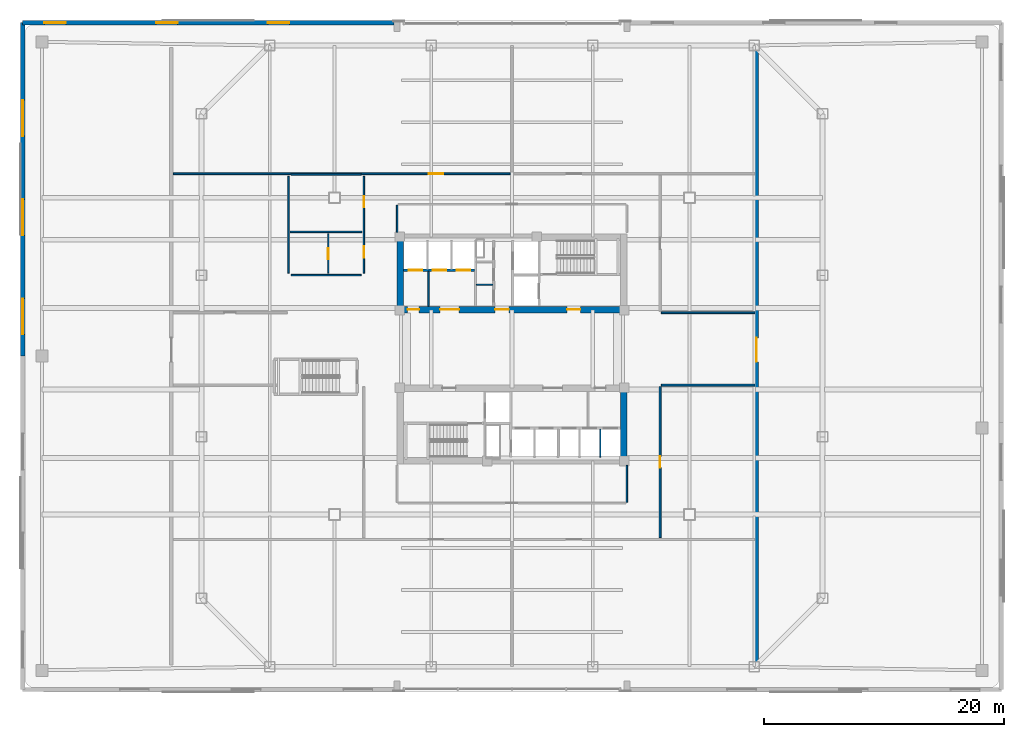
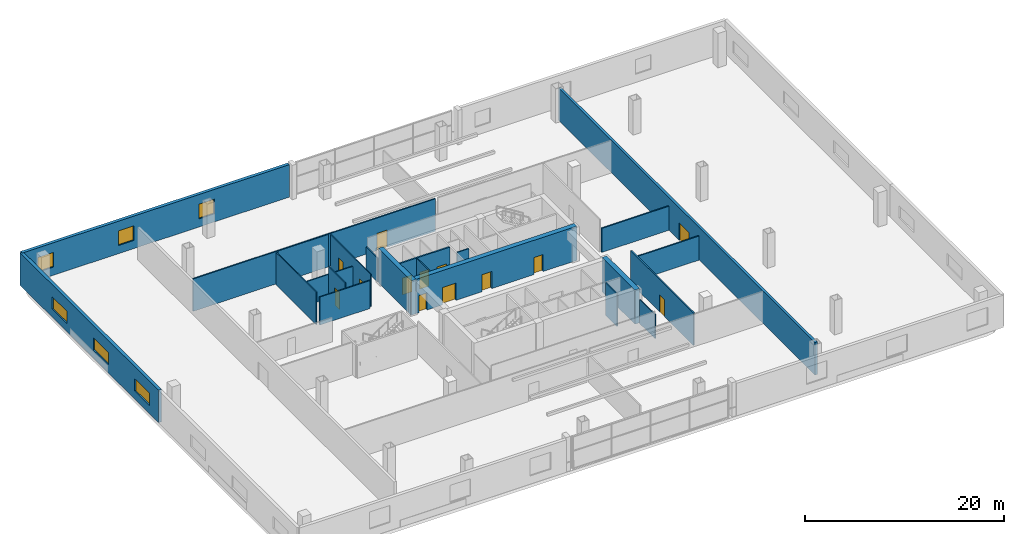
# One storey, part 13 of 21: 22 walls, 13 doors, 6 windows, 19 openings.
"""IFC4 building model written with IfcOpenShell, lengths in metres."""

from ifc_helpers import new_model, si_unit, direction, frame, frame_2d, origin, place, context, subcontext, project, spatial, rectangle, extrude, material, layer, layer_set, type_object, element, fill, save


model = new_model("IFC4")

# Units and contexts
model_context = context("Model", 3, precision=1e-05, world=origin(), true_north=direction((0.0, 1.0)))
body_context = subcontext(model_context, "Body", "Model", "MODEL_VIEW")
ifc_project = project(units=[si_unit("LENGTHUNIT", "METRE"), si_unit("AREAUNIT", "SQUARE_METRE"), si_unit("VOLUMEUNIT", "CUBIC_METRE"), si_unit("PLANEANGLEUNIT", "RADIAN"), si_unit("MASSUNIT", "GRAM", prefix="KILO")], contexts=[model_context])

# Site, building, storey
site_placement = place(None, origin())
site = spatial("IfcSite", under=ifc_project, at=site_placement, CompositionType="ELEMENT")
building_placement = place(site_placement, origin())
building = spatial("IfcBuilding", under=site, at=building_placement, Name="Qhalaya Broadcast Tower", CompositionType="ELEMENT")
storey_placement = place(building_placement, frame((0.0, 0.0, 21.89990234375)))
storey = spatial("IfcBuildingStorey", under=building, at=storey_placement, Name="L05", CompositionType="ELEMENT", Elevation=21.89990234375)

# Wall, opening, door
ifc_material_1 = material(Name="Gypsum Acoustic Partition")
ifc_layer_1 = layer(ifc_material_1, 0.14990234375, Name="Gypsum Acoustic Partition")
ifc_layer_set_1 = layer_set([ifc_layer_1], Name="Gypsum Acoustic Partition")
wall_type_1 = type_object("IfcWallType", Name="Corridor & Tenancy Acoustic Partition 150", PredefinedType="PARTITIONING", material=ifc_layer_set_1)
wall_1_placement = place(storey_placement, frame((-28.239990234375, 15.199951171875, 0.0), z_axis=(0.0, 0.0, 1.0), x_axis=(1.0, 0.0, 0.0)))
wall_1 = element("IfcWall", 1, at=wall_1_placement, inside=storey, type_object=wall_type_1, Name="L05 Partition Wall W-STN1L", PredefinedType="PARTITIONING", context=body_context, shape_type="SweptSolid", body=[
    extrude(rectangle(XDim=28.080078125, YDim=0.14990234375, at=frame_2d((14.0400390625, 0.0))), origin(), (0.0, 0.0, 1.0), 3.97998046875),
])
opening_1_placement = place(wall_1_placement, frame((21.302001953125, 0.0, 0.0)))
opening_1 = element("IfcOpeningElement", 2, at=opening_1_placement, cuts=wall_1, Name="Opening D11", PredefinedType="OPENING", context=body_context, shape_type="SweptSolid", body=[
    extrude(rectangle(XDim=1.199951171875, YDim=2.10009765625, at=frame_2d((0.60009765625, 1.050048828125))), frame((0.0, 0.0869140625, 0.0), z_axis=(0.0, -1.0, 0.0), x_axis=(1.0, 0.0, 0.0)), (0.0, 0.0, 1.0), 0.173828125),
])
ifc_material_2 = material(Name="Anodised Aluminium Glazed Door", Category="aluminium")
door_type_1 = type_object("IfcDoorType", Name="Conference, Boardroom & Studio Control Door D11", OperationType="NOTDEFINED", PredefinedType="DOOR", material=ifc_material_2)
door_1_placement = place(opening_1_placement, origin())
door_1 = element("IfcDoor", 3, at=door_1_placement, inside=storey, type_object=door_type_1, Name="L05 Door D-STN1", OperationType="SINGLE_SWING_LEFT", OverallHeight=2.10009765625, OverallWidth=1.199951171875, PredefinedType="DOOR", context=body_context, shape_type="SweptSolid", body=[
    extrude(rectangle(XDim=1.199951171875, YDim=2.10009765625, at=frame_2d((0.60009765625, 1.050048828125))), frame((0.0, 0.02490234375, 0.0), z_axis=(0.0, -1.0, 0.0), x_axis=(1.0, 0.0, 0.0)), (0.0, 0.0, 1.0), 0.050048828125),
])
fill(opening_1, door_1)

wall_2_placement = place(storey_placement, frame((12.35009765625, -15.139892578125, 0.0), z_axis=(0.0, 0.0, 1.0), x_axis=(0.0, 1.0, 0.0)))
wall_2 = element("IfcWall", 4, at=wall_2_placement, inside=storey, type_object=wall_type_1, Name="L05 Partition Wall W-STPES", PredefinedType="PARTITIONING", context=body_context, shape_type="SweptSolid", body=[
    extrude(rectangle(XDim=12.599853515625, YDim=0.14990234375, at=frame_2d((6.2998046875, 0.0))), origin(), (0.0, 0.0, 1.0), 3.97998046875),
])
opening_2_placement = place(wall_2_placement, frame((5.824951171875, 0.0, 0.0)))
opening_2 = element("IfcOpeningElement", 5, at=opening_2_placement, cuts=wall_2, Name="Opening D10", PredefinedType="OPENING", context=body_context, shape_type="SweptSolid", body=[
    extrude(rectangle(XDim=0.949951171875, YDim=2.10009765625, at=frame_2d((0.47509765625, 1.050048828125))), frame((0.0, 0.0869140625, 0.0), z_axis=(0.0, -1.0, 0.0), x_axis=(1.0, 0.0, 0.0)), (0.0, 0.0, 1.0), 0.173828125),
])
ifc_material_3 = material(Name="Timber Veneer Acoustic Door", Category="wood")
door_type_2 = type_object("IfcDoorType", Name="Cellular Office & Edit Booth Door D10", OperationType="NOTDEFINED", PredefinedType="DOOR", material=ifc_material_3)
door_2_placement = place(opening_2_placement, origin())
door_2 = element("IfcDoor", 6, at=door_2_placement, inside=storey, type_object=door_type_2, Name="L05 Door D-STPE1", OperationType="SINGLE_SWING_RIGHT", OverallHeight=2.10009765625, OverallWidth=0.949951171875, PredefinedType="DOOR", context=body_context, shape_type="SweptSolid", body=[
    extrude(rectangle(XDim=0.949951171875, YDim=2.10009765625, at=frame_2d((0.47509765625, 1.050048828125))), frame((0.0, 0.02490234375, 0.0), z_axis=(0.0, -1.0, 0.0), x_axis=(1.0, 0.0, 0.0)), (0.0, 0.0, 1.0), 0.050048828125),
])
fill(opening_2, door_2)

# Walls
for number, where, z_axis, x_axis, name in (
    (7, (12.4599609375, -2.419921875, 0.0), (0.0, 0.0, 1.0), (1.0, 0.0, 0.0), "L05 Partition Wall W-STP-CS"),
    (8, (12.4599609375, 3.6201171875, 0.0), (0.0, 0.0, 1.0), (1.0, 0.0, 0.0), "L05 Partition Wall W-STP-CN"),
):
    element("IfcWall", number, at=place(storey_placement, frame(where, z_axis=z_axis, x_axis=x_axis)), inside=storey, type_object=wall_type_1, Name=name, PredefinedType="PARTITIONING", context=body_context, shape_type="SweptSolid", body=[
        extrude(rectangle(XDim=7.800048828125, YDim=0.14990234375, at=frame_2d((3.89990234375, 0.0))), origin(), (0.0, 0.0, 1.0), 2.94921875),
    ])

# Wall, opening, door
ifc_layer_2 = layer(ifc_material_1, 0.280029296875, Name="Gypsum Acoustic Partition")
ifc_layer_set_2 = layer_set([ifc_layer_2], Name="Gypsum Acoustic Partition")
wall_type_2 = type_object("IfcWallType", Name="Double-Leaf Soundstage Acoustic Wall 280", PredefinedType="MOVABLE", material=ifc_layer_set_2)
wall_3_placement = place(storey_placement, frame((20.39990234375, -25.739990234375, 0.0), z_axis=(0.0, 0.0, 1.0), x_axis=(0.0, 1.0, 0.0)))
wall_3 = element("IfcWall", 9, at=wall_3_placement, inside=storey, type_object=wall_type_2, Name="L05 Partition Wall W-STBE", PredefinedType="MOVABLE", context=body_context, shape_type="SweptSolid", body=[
    extrude(rectangle(XDim=51.47998046875, YDim=0.280029296875, at=frame_2d((25.739990234375, 0.0))), origin(), (0.0, 0.0, 1.0), 3.97998046875),
])
opening_3_placement = place(wall_3_placement, frame((25.2548828125, 0.0, 0.0)))
opening_3 = element("IfcOpeningElement", 10, at=opening_3_placement, cuts=wall_3, Name="Opening D08", PredefinedType="OPENING", context=body_context, shape_type="SweptSolid", body=[
    extrude(rectangle(XDim=2.0, YDim=2.139892578125, at=frame_2d((1.0, 1.06982421875))), frame((0.0, 0.152099609375, 0.0), z_axis=(0.0, -1.0, 0.0), x_axis=(1.0, 0.0, 0.0)), (0.0, 0.0, 1.0), 0.303955078125),
])
ifc_material_4 = material(Name="Acoustic Studio Isolation Steel Door", Category="steel")
door_type_3 = type_object("IfcDoorType", Name="Soundstage Acoustic Isolation Double Door D08", OperationType="DOUBLE_DOOR_SINGLE_SWING", PredefinedType="DOOR", material=ifc_material_4)
door_3_placement = place(opening_3_placement, origin())
door_3 = element("IfcDoor", 11, at=door_3_placement, inside=storey, type_object=door_type_3, Name="L05 Door D-STB1", OperationType="DOUBLE_DOOR_SINGLE_SWING", OverallHeight=2.139892578125, OverallWidth=2.0, PredefinedType="DOOR", context=body_context, shape_type="SweptSolid", body=[
    extrude(rectangle(XDim=2.0, YDim=2.139892578125, at=frame_2d((1.0, 1.06982421875))), frame((0.0, 0.02490234375, 0.0), z_axis=(0.0, -1.0, 0.0), x_axis=(1.0, 0.0, 0.0)), (0.0, 0.0, 1.0), 0.050048828125),
])
fill(opening_3, door_3)

# Wall, openings, windows
ifc_material_5 = material(Name="Precast Concrete C40/50", Category="concrete")
ifc_layer_3 = layer(ifc_material_5, 0.360107421875, Name="Precast Concrete C40/50")
ifc_layer_set_3 = layer_set([ifc_layer_3], Name="Precast Concrete C40/50")
wall_type_3 = type_object("IfcWallType", Name="Insulated Precast Terracotta Exterior Wall 360", PredefinedType="SOLIDWALL", material=ifc_layer_set_3)
wall_4_placement = place(storey_placement, frame((-40.800048828125, 27.800048828125, 0.0), z_axis=(0.0, 0.0, 1.0), x_axis=(1.0, 0.0, 0.0)))
wall_4 = element("IfcWall", 12, at=wall_4_placement, inside=storey, type_object=wall_type_3, Name="L05 Podium Exterior Terracotta Wall EW-NW", PredefinedType="SOLIDWALL", context=body_context, shape_type="SweptSolid", body=[
    extrude(rectangle(XDim=30.9599609375, YDim=0.360107421875, at=frame_2d((15.47998046875, 0.0))), origin(), (0.0, 0.0, 1.0), 3.97998046875),
])
opening_4_placement = place(wall_4_placement, frame((1.800048828125, 0.0, 1.0)))
opening_4 = element("IfcOpeningElement", 13, at=opening_4_placement, cuts=wall_4, Name="Opening W02", PredefinedType="OPENING", context=body_context, shape_type="SweptSolid", body=[
    extrude(rectangle(XDim=1.800048828125, YDim=1.800048828125, at=frame_2d((0.89990234375, 0.89990234375))), frame((0.0, 0.192138671875, 0.0), z_axis=(0.0, -1.0, 0.0), x_axis=(1.0, 0.0, 0.0)), (0.0, 0.0, 1.0), 0.384033203125),
])
opening_5_placement = place(wall_4_placement, frame((11.1201171875, 0.0, 1.0)))
opening_5 = element("IfcOpeningElement", 14, at=opening_5_placement, cuts=wall_4, Name="Opening W02", PredefinedType="OPENING", context=body_context, shape_type="SweptSolid", body=[
    extrude(rectangle(XDim=1.800048828125, YDim=1.800048828125, at=frame_2d((0.89990234375, 0.89990234375))), frame((0.0, 0.192138671875, 0.0), z_axis=(0.0, -1.0, 0.0), x_axis=(1.0, 0.0, 0.0)), (0.0, 0.0, 1.0), 0.384033203125),
])
opening_6_placement = place(wall_4_placement, frame((20.43994140625, 0.0, 1.0)))
opening_6 = element("IfcOpeningElement", 15, at=opening_6_placement, cuts=wall_4, Name="Opening W02", PredefinedType="OPENING", context=body_context, shape_type="SweptSolid", body=[
    extrude(rectangle(XDim=1.800048828125, YDim=1.800048828125, at=frame_2d((0.89990234375, 0.89990234375))), frame((0.0, 0.192138671875, 0.0), z_axis=(0.0, -1.0, 0.0), x_axis=(1.0, 0.0, 0.0)), (0.0, 0.0, 1.0), 0.384033203125),
])
ifc_material_6 = material(Name="Solar-Control Low-E Triple Glazing", Category="glass")
window_type_1 = type_object("IfcWindowType", Name="Podium Production Office Window W02", PartitioningType="SINGLE_PANEL", PredefinedType="WINDOW", material=ifc_material_6)
window_1_placement = place(opening_4_placement, origin())
window_1 = element("IfcWindow", 16, at=window_1_placement, inside=storey, type_object=window_type_1, Name="L05 Facade Window W02-1", OverallHeight=1.800048828125, OverallWidth=1.800048828125, PartitioningType="SINGLE_PANEL", PredefinedType="WINDOW", context=body_context, shape_type="SweptSolid", body=[
    extrude(rectangle(XDim=1.800048828125, YDim=1.800048828125, at=frame_2d((0.89990234375, 0.89990234375))), frame((0.0, 0.030029296875, 0.0), z_axis=(0.0, -1.0, 0.0), x_axis=(1.0, 0.0, 0.0)), (0.0, 0.0, 1.0), 0.06005859375),
])
fill(opening_4, window_1)
window_2_placement = place(opening_5_placement, origin())
window_2 = element("IfcWindow", 17, at=window_2_placement, inside=storey, type_object=window_type_1, Name="L05 Facade Window W02-2", OverallHeight=1.800048828125, OverallWidth=1.800048828125, PartitioningType="SINGLE_PANEL", PredefinedType="WINDOW", context=body_context, shape_type="SweptSolid", body=[
    extrude(rectangle(XDim=1.800048828125, YDim=1.800048828125, at=frame_2d((0.89990234375, 0.89990234375))), frame((0.0, 0.030029296875, 0.0), z_axis=(0.0, -1.0, 0.0), x_axis=(1.0, 0.0, 0.0)), (0.0, 0.0, 1.0), 0.06005859375),
])
fill(opening_5, window_2)
window_3_placement = place(opening_6_placement, origin())
window_3 = element("IfcWindow", 18, at=window_3_placement, inside=storey, type_object=window_type_1, Name="L05 Facade Window W02-3", OverallHeight=1.800048828125, OverallWidth=1.800048828125, PartitioningType="SINGLE_PANEL", PredefinedType="WINDOW", context=body_context, shape_type="SweptSolid", body=[
    extrude(rectangle(XDim=1.800048828125, YDim=1.800048828125, at=frame_2d((0.89990234375, 0.89990234375))), frame((0.0, 0.030029296875, 0.0), z_axis=(0.0, -1.0, 0.0), x_axis=(1.0, 0.0, 0.0)), (0.0, 0.0, 1.0), 0.06005859375),
])
fill(opening_6, window_3)

wall_5_placement = place(storey_placement, frame((-40.800048828125, 0.0, 0.0), z_axis=(0.0, 0.0, 1.0), x_axis=(0.0, 1.0, 0.0)))
wall_5 = element("IfcWall", 19, at=wall_5_placement, inside=storey, type_object=wall_type_3, Name="L05 Podium Exterior Terracotta Wall EW-WN", PredefinedType="SOLIDWALL", context=body_context, shape_type="SweptSolid", body=[
    extrude(rectangle(XDim=27.800048828125, YDim=0.360107421875, at=frame_2d((13.89990234375, 0.0))), origin(), (0.0, 0.0, 1.0), 3.97998046875),
])
opening_7_placement = place(wall_5_placement, frame((1.800048828125, 0.0, 1.0)))
opening_7 = element("IfcOpeningElement", 20, at=opening_7_placement, cuts=wall_5, Name="Opening W03", PredefinedType="OPENING", context=body_context, shape_type="SweptSolid", body=[
    extrude(rectangle(XDim=3.0, YDim=1.5, at=frame_2d((1.5, 0.75))), frame((0.0, 0.192138671875, 0.0), z_axis=(0.0, -1.0, 0.0), x_axis=(1.0, 0.0, 0.0)), (0.0, 0.0, 1.0), 0.384033203125),
])
opening_8_placement = place(wall_5_placement, frame((10.06689453125, 0.0, 1.0)))
opening_8 = element("IfcOpeningElement", 21, at=opening_8_placement, cuts=wall_5, Name="Opening W03", PredefinedType="OPENING", context=body_context, shape_type="SweptSolid", body=[
    extrude(rectangle(XDim=3.0, YDim=1.5, at=frame_2d((1.5, 0.75))), frame((0.0, 0.192138671875, 0.0), z_axis=(0.0, -1.0, 0.0), x_axis=(1.0, 0.0, 0.0)), (0.0, 0.0, 1.0), 0.384033203125),
])
opening_9_placement = place(wall_5_placement, frame((18.3330078125, 0.0, 1.0)))
opening_9 = element("IfcOpeningElement", 22, at=opening_9_placement, cuts=wall_5, Name="Opening W03", PredefinedType="OPENING", context=body_context, shape_type="SweptSolid", body=[
    extrude(rectangle(XDim=3.0, YDim=1.5, at=frame_2d((1.5, 0.75))), frame((0.0, 0.192138671875, 0.0), z_axis=(0.0, -1.0, 0.0), x_axis=(1.0, 0.0, 0.0)), (0.0, 0.0, 1.0), 0.384033203125),
])
window_type_2 = type_object("IfcWindowType", Name="Podium Concourse Clerestory Window W03", PartitioningType="SINGLE_PANEL", PredefinedType="WINDOW", material=ifc_material_6)
window_4_placement = place(opening_7_placement, origin())
window_4 = element("IfcWindow", 23, at=window_4_placement, inside=storey, type_object=window_type_2, Name="L05 Facade Window W03-1", OverallHeight=1.5, OverallWidth=3.0, PartitioningType="SINGLE_PANEL", PredefinedType="WINDOW", context=body_context, shape_type="SweptSolid", body=[
    extrude(rectangle(XDim=3.0, YDim=1.5, at=frame_2d((1.5, 0.75))), frame((0.0, 0.030029296875, 0.0), z_axis=(0.0, -1.0, 0.0), x_axis=(1.0, 0.0, 0.0)), (0.0, 0.0, 1.0), 0.06005859375),
])
fill(opening_7, window_4)
window_5_placement = place(opening_8_placement, origin())
window_5 = element("IfcWindow", 24, at=window_5_placement, inside=storey, type_object=window_type_2, Name="L05 Facade Window W03-2", OverallHeight=1.5, OverallWidth=3.0, PartitioningType="SINGLE_PANEL", PredefinedType="WINDOW", context=body_context, shape_type="SweptSolid", body=[
    extrude(rectangle(XDim=3.0, YDim=1.5, at=frame_2d((1.5, 0.75))), frame((0.0, 0.030029296875, 0.0), z_axis=(0.0, -1.0, 0.0), x_axis=(1.0, 0.0, 0.0)), (0.0, 0.0, 1.0), 0.06005859375),
])
fill(opening_8, window_5)
window_6_placement = place(opening_9_placement, origin())
window_6 = element("IfcWindow", 25, at=window_6_placement, inside=storey, type_object=window_type_2, Name="L05 Facade Window W03-3", OverallHeight=1.5, OverallWidth=3.0, PartitioningType="SINGLE_PANEL", PredefinedType="WINDOW", context=body_context, shape_type="SweptSolid", body=[
    extrude(rectangle(XDim=3.0, YDim=1.5, at=frame_2d((1.5, 0.75))), frame((0.0, 0.030029296875, 0.0), z_axis=(0.0, -1.0, 0.0), x_axis=(1.0, 0.0, 0.0)), (0.0, 0.0, 1.0), 0.06005859375),
])
fill(opening_9, window_6)

# Wall, openings, doors
ifc_material_7 = material(Name="Concrete C60/75", Category="concrete")
ifc_layer_4 = layer(ifc_material_7, 0.550048828125, Name="Concrete C60/75")
ifc_layer_set_4 = layer_set([ifc_layer_4], Name="Concrete C60/75")
wall_type_4 = type_object("IfcWallType", Name="Lower Split-Core Shear Wall 550", PredefinedType="SHEAR", material=ifc_layer_set_4)
wall_6_placement = place(storey_placement, frame((-9.60009765625, 3.875, 0.0), z_axis=(0.0, 0.0, 1.0), x_axis=(1.0, 0.0, 0.0)))
wall_6 = element("IfcWall", 26, at=wall_6_placement, inside=storey, type_object=wall_type_4, Name="L05 Split-Core Shear Wall CW-NS", PredefinedType="SHEAR", context=body_context, shape_type="SweptSolid", body=[
    extrude(rectangle(XDim=19.2001953125, YDim=0.550048828125, at=frame_2d((9.60009765625, 0.0))), origin(), (0.0, 0.0, 1.0), 4.2001953125),
])
opening_10_placement = place(wall_6_placement, frame((14.199951171875, 0.0, 0.0)))
opening_10 = element("IfcOpeningElement", 27, at=opening_10_placement, cuts=wall_6, Name="Opening D04", PredefinedType="OPENING", context=body_context, shape_type="SweptSolid", body=[
    extrude(rectangle(XDim=1.10009765625, YDim=2.080078125, at=frame_2d((0.550048828125, 1.0400390625))), frame((0.0, 0.287109375, 0.0), z_axis=(0.0, -1.0, 0.0), x_axis=(1.0, 0.0, 0.0)), (0.0, 0.0, 1.0), 0.573974609375),
])
opening_11_placement = place(wall_6_placement, frame((8.199951171875, 0.0, 0.0)))
opening_11 = element("IfcOpeningElement", 28, at=opening_11_placement, cuts=wall_6, Name="Opening D05", PredefinedType="OPENING", context=body_context, shape_type="SweptSolid", body=[
    extrude(rectangle(XDim=1.14990234375, YDim=2.10009765625, at=frame_2d((0.574951171875, 1.050048828125))), frame((0.0, 0.287109375, 0.0), z_axis=(0.0, -1.0, 0.0), x_axis=(1.0, 0.0, 0.0)), (0.0, 0.0, 1.0), 0.573974609375),
])
opening_12_placement = place(wall_6_placement, frame((0.89990234375, 0.0, 0.0)))
opening_12 = element("IfcOpeningElement", 29, at=opening_12_placement, cuts=wall_6, Name="Opening D10", PredefinedType="OPENING", context=body_context, shape_type="SweptSolid", body=[
    extrude(rectangle(XDim=0.949951171875, YDim=2.10009765625, at=frame_2d((0.47509765625, 1.050048828125))), frame((0.0, 0.287109375, 0.0), z_axis=(0.0, -1.0, 0.0), x_axis=(1.0, 0.0, 0.0)), (0.0, 0.0, 1.0), 0.573974609375),
])
opening_13_placement = place(wall_6_placement, frame((3.60009765625, 0.0, 0.0)))
opening_13 = element("IfcOpeningElement", 30, at=opening_13_placement, cuts=wall_6, Name="Opening D07", PredefinedType="OPENING", context=body_context, shape_type="SweptSolid", body=[
    extrude(rectangle(XDim=1.60009765625, YDim=2.1201171875, at=frame_2d((0.800048828125, 1.06005859375))), frame((0.0, 0.287109375, 0.0), z_axis=(0.0, -1.0, 0.0), x_axis=(1.0, 0.0, 0.0)), (0.0, 0.0, 1.0), 0.573974609375),
])
door_4_placement = place(opening_12_placement, origin())
door_4 = element("IfcDoor", 31, at=door_4_placement, inside=storey, type_object=door_type_2, Name="L05 Door D-NLPNT", OperationType="SINGLE_SWING_RIGHT", OverallHeight=2.10009765625, OverallWidth=0.949951171875, PredefinedType="DOOR", context=body_context, shape_type="SweptSolid", body=[
    extrude(rectangle(XDim=0.949951171875, YDim=2.10009765625, at=frame_2d((0.47509765625, 1.050048828125))), frame((0.0, 0.02490234375, 0.0), z_axis=(0.0, -1.0, 0.0), x_axis=(1.0, 0.0, 0.0)), (0.0, 0.0, 1.0), 0.050048828125),
])
fill(opening_12, door_4)
ifc_material_8 = material(Name="Fire-Rated Steel Door", Category="steel")
door_type_4 = type_object("IfcDoorType", Name="Firefighting Lobby Rated Door D04", OperationType="NOTDEFINED", PredefinedType="DOOR", material=ifc_material_8)
door_5_placement = place(opening_10_placement, origin())
door_5 = element("IfcDoor", 32, at=door_5_placement, inside=storey, type_object=door_type_4, Name="L05 Door D-NFF", OperationType="SINGLE_SWING_RIGHT", OverallHeight=2.080078125, OverallWidth=1.10009765625, PredefinedType="DOOR", context=body_context, shape_type="SweptSolid", body=[
    extrude(rectangle(XDim=1.10009765625, YDim=2.080078125, at=frame_2d((0.550048828125, 1.0400390625))), frame((0.0, 0.02490234375, 0.0), z_axis=(0.0, -1.0, 0.0), x_axis=(1.0, 0.0, 0.0)), (0.0, 0.0, 1.0), 0.050048828125),
])
fill(opening_10, door_5)
door_type_5 = type_object("IfcDoorType", Name="Passenger Lift Lobby Double Glazed Door D07", OperationType="DOUBLE_DOOR_SINGLE_SWING", PredefinedType="DOOR", material=ifc_material_2)
door_6_placement = place(opening_13_placement, origin())
door_6 = element("IfcDoor", 33, at=door_6_placement, inside=storey, type_object=door_type_5, Name="L05 Door D-NPLL", OperationType="DOUBLE_DOOR_SINGLE_SWING", OverallHeight=2.1201171875, OverallWidth=1.60009765625, PredefinedType="DOOR", context=body_context, shape_type="SweptSolid", body=[
    extrude(rectangle(XDim=1.60009765625, YDim=2.1201171875, at=frame_2d((0.800048828125, 1.06005859375))), frame((0.0, 0.02490234375, 0.0), z_axis=(0.0, -1.0, 0.0), x_axis=(1.0, 0.0, 0.0)), (0.0, 0.0, 1.0), 0.050048828125),
])
fill(opening_13, door_6)
door_type_6 = type_object("IfcDoorType", Name="Refuge & Plant Room Fire Door D05", OperationType="NOTDEFINED", PredefinedType="DOOR", material=ifc_material_8)
door_7_placement = place(opening_11_placement, origin())
door_7 = element("IfcDoor", 34, at=door_7_placement, inside=storey, type_object=door_type_6, Name="L05 Door D-NSVL", OperationType="SINGLE_SWING_LEFT", OverallHeight=2.10009765625, OverallWidth=1.14990234375, PredefinedType="DOOR", context=body_context, shape_type="SweptSolid", body=[
    extrude(rectangle(XDim=1.14990234375, YDim=2.10009765625, at=frame_2d((0.574951171875, 1.050048828125))), frame((0.0, 0.02490234375, 0.0), z_axis=(0.0, -1.0, 0.0), x_axis=(1.0, 0.0, 0.0)), (0.0, 0.0, 1.0), 0.050048828125),
])
fill(opening_11, door_7)

# Walls
wall_7_placement = place(storey_placement, frame((-9.324951171875, 3.60009765625, 0.0), z_axis=(0.0, 0.0, 1.0), x_axis=(0.0, 1.0, 0.0)))
element("IfcWall", 35, at=wall_7_placement, inside=storey, type_object=wall_type_4, Name="L05 Split-Core Shear Wall CW-NW", PredefinedType="SHEAR", context=body_context, shape_type="SweptSolid", body=[
    extrude(rectangle(XDim=6.599853515625, YDim=0.550048828125, at=frame_2d((3.2998046875, 0.0))), origin(), (0.0, 0.0, 1.0), 4.2001953125),
])
wall_8_placement = place(storey_placement, frame((9.324951171875, -9.0, 0.0), z_axis=(0.0, 0.0, 1.0), x_axis=(0.0, 1.0, 0.0)))
element("IfcWall", 36, at=wall_8_placement, inside=storey, type_object=wall_type_4, Name="L05 Split-Core Shear Wall CW-SE", PredefinedType="SHEAR", context=body_context, shape_type="SweptSolid", body=[
    extrude(rectangle(XDim=6.60009765625, YDim=0.550048828125, at=frame_2d((3.300048828125, 0.0))), origin(), (0.0, 0.0, 1.0), 4.2001953125),
])
ifc_layer_5 = layer(ifc_material_1, 0.1201171875, Name="Gypsum Acoustic Partition")
ifc_layer_set_5 = layer_set([ifc_layer_5], Name="Gypsum Acoustic Partition")
wall_type_5 = type_object("IfcWallType", Name="Office, Booth & Sanitary Partition 120", PredefinedType="PARTITIONING", material=ifc_layer_set_5)
wall_9_placement = place(storey_placement, frame((-2.9599609375, 5.949951171875, 0.0), z_axis=(0.0, 0.0, 1.0), x_axis=(1.0, 0.0, 0.0)))
element("IfcWall", 37, at=wall_9_placement, inside=storey, type_object=wall_type_5, Name="L05 Partition Wall NCW-VB1", PredefinedType="PARTITIONING", context=body_context, shape_type="SweptSolid", body=[
    extrude(rectangle(XDim=1.35986328125, YDim=0.1201171875, at=frame_2d((0.679931640625, 0.0))), origin(), (0.0, 0.0, 1.0), 3.97998046875),
])
wall_10_placement = place(storey_placement, frame((-6.949951171875, 4.169921875, 0.0), z_axis=(0.0, 0.0, 1.0), x_axis=(0.0, 1.0, 0.0)))
element("IfcWall", 38, at=wall_10_placement, inside=storey, type_object=wall_type_5, Name="L05 Partition Wall NCW-LKB", PredefinedType="PARTITIONING", context=body_context, shape_type="SweptSolid", body=[
    extrude(rectangle(XDim=2.89013671875, YDim=0.1201171875, at=frame_2d((1.445068359375, 0.0))), origin(), (0.0, 0.0, 1.0), 3.97998046875),
])
wall_11_placement = place(storey_placement, frame((7.360107421875, -8.429931640625, 0.0), z_axis=(0.0, 0.0, 1.0), x_axis=(0.0, 1.0, 0.0)))
element("IfcWall", 39, at=wall_11_placement, inside=storey, type_object=wall_type_5, Name="L05 Partition Wall SCW-HD7", PredefinedType="PARTITIONING", context=body_context, shape_type="SweptSolid", body=[
    extrude(rectangle(XDim=2.329833984375, YDim=0.1201171875, at=frame_2d((1.1650390625, 0.0))), origin(), (0.0, 0.0, 1.0), 3.97998046875),
])
wall_12_placement = place(storey_placement, frame((-18.419921875, 6.75, 0.0), z_axis=(0.0, 0.0, 1.0), x_axis=(1.0, 0.0, 0.0)))
element("IfcWall", 40, at=wall_12_placement, inside=storey, type_object=wall_type_5, Name="L05 Partition Wall W-PWCS", PredefinedType="PARTITIONING", context=body_context, shape_type="SweptSolid", body=[
    extrude(rectangle(XDim=5.83984375, YDim=0.1201171875, at=frame_2d((2.919921875, 0.0))), origin(), (0.0, 0.0, 1.0), 3.424072265625),
])
wall_13_placement = place(storey_placement, frame((-18.419921875, 15.14990234375, 0.0), z_axis=(0.0, 0.0, 1.0), x_axis=(1.0, 0.0, 0.0)))
element("IfcWall", 41, at=wall_13_placement, inside=storey, type_object=wall_type_5, Name="L05 Partition Wall W-PWCN", PredefinedType="PARTITIONING", context=body_context, shape_type="SweptSolid", body=[
    extrude(rectangle(XDim=5.83984375, YDim=0.1201171875, at=frame_2d((2.919921875, 0.0))), origin(), (0.0, 0.0, 1.0), 3.97998046875),
])
wall_14_placement = place(storey_placement, frame((-18.64990234375, 6.909912109375, 0.0), z_axis=(0.0, 0.0, 1.0), x_axis=(0.0, 1.0, 0.0)))
element("IfcWall", 42, at=wall_14_placement, inside=storey, type_object=wall_type_5, Name="L05 Partition Wall W-PWCW", PredefinedType="PARTITIONING", context=body_context, shape_type="SweptSolid", body=[
    extrude(rectangle(XDim=8.080078125, YDim=0.1201171875, at=frame_2d((4.0400390625, 0.0))), origin(), (0.0, 0.0, 1.0), 3.97998046875),
])
wall_15_placement = place(storey_placement, frame((-18.489990234375, 10.35009765625, 0.0), z_axis=(0.0, 0.0, 1.0), x_axis=(1.0, 0.0, 0.0)))
element("IfcWall", 43, at=wall_15_placement, inside=storey, type_object=wall_type_5, Name="L05 Partition Wall W-PWCM", PredefinedType="PARTITIONING", context=body_context, shape_type="SweptSolid", body=[
    extrude(rectangle(XDim=5.97998046875, YDim=0.1201171875, at=frame_2d((2.989990234375, 0.0))), origin(), (0.0, 0.0, 1.0), 2.94921875),
])

# Wall, opening, door
wall_16_placement = place(storey_placement, frame((-15.320068359375, 6.909912109375, 0.0), z_axis=(0.0, 0.0, 1.0), x_axis=(0.0, 1.0, 0.0)))
wall_16 = element("IfcWall", 44, at=wall_16_placement, inside=storey, type_object=wall_type_5, Name="L05 Partition Wall W-PWCD", PredefinedType="PARTITIONING", context=body_context, shape_type="SweptSolid", body=[
    extrude(rectangle(XDim=3.280029296875, YDim=0.1201171875, at=frame_2d((1.64013671875, 0.0))), origin(), (0.0, 0.0, 1.0), 3.97998046875),
])
opening_14_placement = place(wall_16_placement, frame((1.1650390625, 0.0, 0.0)))
opening_14 = element("IfcOpeningElement", 45, at=opening_14_placement, cuts=wall_16, Name="Opening D12", PredefinedType="OPENING", context=body_context, shape_type="SweptSolid", body=[
    extrude(rectangle(XDim=0.919921875, YDim=2.10009765625, at=frame_2d((0.4599609375, 1.050048828125))), frame((0.0, 0.072021484375, 0.0), z_axis=(0.0, -1.0, 0.0), x_axis=(1.0, 0.0, 0.0)), (0.0, 0.0, 1.0), 0.14404296875),
])
door_type_7 = type_object("IfcDoorType", Name="Accessible WC & Restroom Door D12", OperationType="NOTDEFINED", PredefinedType="DOOR", material=ifc_material_3)
door_8_placement = place(opening_14_placement, origin())
door_8 = element("IfcDoor", 46, at=door_8_placement, inside=storey, type_object=door_type_7, Name="L05 Door D-PWCA", OperationType="SINGLE_SWING_LEFT", OverallHeight=2.10009765625, OverallWidth=0.919921875, PredefinedType="DOOR", context=body_context, shape_type="SweptSolid", body=[
    extrude(rectangle(XDim=0.919921875, YDim=2.10009765625, at=frame_2d((0.4599609375, 1.050048828125))), frame((0.0, 0.02490234375, 0.0), z_axis=(0.0, -1.0, 0.0), x_axis=(1.0, 0.0, 0.0)), (0.0, 0.0, 1.0), 0.050048828125),
])
fill(opening_14, door_8)

# Wall, openings, doors
wall_17_placement = place(storey_placement, frame((-12.35009765625, 6.909912109375, 0.0), z_axis=(0.0, 0.0, 1.0), x_axis=(0.0, 1.0, 0.0)))
wall_17 = element("IfcWall", 47, at=wall_17_placement, inside=storey, type_object=wall_type_5, Name="L05 Partition Wall W-PWCE", PredefinedType="PARTITIONING", context=body_context, shape_type="SweptSolid", body=[
    extrude(rectangle(XDim=8.080078125, YDim=0.1201171875, at=frame_2d((4.0400390625, 0.0))), origin(), (0.0, 0.0, 1.0), 3.97998046875),
])
opening_15_placement = place(wall_17_placement, frame((1.302978515625, 0.0, 0.0)))
opening_15 = element("IfcOpeningElement", 48, at=opening_15_placement, cuts=wall_17, Name="Opening D10", PredefinedType="OPENING", context=body_context, shape_type="SweptSolid", body=[
    extrude(rectangle(XDim=0.949951171875, YDim=2.10009765625, at=frame_2d((0.47509765625, 1.050048828125))), frame((0.0, 0.072021484375, 0.0), z_axis=(0.0, -1.0, 0.0), x_axis=(1.0, 0.0, 0.0)), (0.0, 0.0, 1.0), 0.14404296875),
])
opening_16_placement = place(wall_17_placement, frame((5.50390625, 0.0, 0.0)))
opening_16 = element("IfcOpeningElement", 49, at=opening_16_placement, cuts=wall_17, Name="Opening D12", PredefinedType="OPENING", context=body_context, shape_type="SweptSolid", body=[
    extrude(rectangle(XDim=0.919921875, YDim=2.10009765625, at=frame_2d((0.4599609375, 1.050048828125))), frame((0.0, 0.072021484375, 0.0), z_axis=(0.0, -1.0, 0.0), x_axis=(1.0, 0.0, 0.0)), (0.0, 0.0, 1.0), 0.14404296875),
])
door_9_placement = place(opening_16_placement, origin())
door_9 = element("IfcDoor", 50, at=door_9_placement, inside=storey, type_object=door_type_7, Name="L05 Door D-PWCM", OperationType="SINGLE_SWING_LEFT", OverallHeight=2.10009765625, OverallWidth=0.919921875, PredefinedType="DOOR", context=body_context, shape_type="SweptSolid", body=[
    extrude(rectangle(XDim=0.919921875, YDim=2.10009765625, at=frame_2d((0.4599609375, 1.050048828125))), frame((0.0, 0.02490234375, 0.0), z_axis=(0.0, -1.0, 0.0), x_axis=(1.0, 0.0, 0.0)), (0.0, 0.0, 1.0), 0.050048828125),
])
fill(opening_16, door_9)
door_10_placement = place(opening_15_placement, origin())
door_10 = element("IfcDoor", 51, at=door_10_placement, inside=storey, type_object=door_type_2, Name="L05 Door D-PWCP", OperationType="SINGLE_SWING_RIGHT", OverallHeight=2.10009765625, OverallWidth=0.949951171875, PredefinedType="DOOR", context=body_context, shape_type="SweptSolid", body=[
    extrude(rectangle(XDim=0.949951171875, YDim=2.10009765625, at=frame_2d((0.47509765625, 1.050048828125))), frame((0.0, 0.02490234375, 0.0), z_axis=(0.0, -1.0, 0.0), x_axis=(1.0, 0.0, 0.0)), (0.0, 0.0, 1.0), 0.050048828125),
])
fill(opening_15, door_10)

# Walls
wall_18_placement = place(storey_placement, frame((-9.580078125, 10.31005859375, 0.0), z_axis=(0.0, 0.0, 1.0), x_axis=(0.0, 1.0, 0.0)))
element("IfcWall", 52, at=wall_18_placement, inside=storey, type_object=wall_type_5, Name="L05 Partition Wall W-PCSHNW", PredefinedType="PARTITIONING", context=body_context, shape_type="SweptSolid", body=[
    extrude(rectangle(XDim=2.280029296875, YDim=0.1201171875, at=frame_2d((1.14013671875, 0.0))), origin(), (0.0, 0.0, 1.0), 2.94921875),
])
wall_19_placement = place(storey_placement, frame((9.580078125, -12.18994140625, 0.0), z_axis=(0.0, 0.0, 1.0), x_axis=(0.0, 1.0, 0.0)))
element("IfcWall", 53, at=wall_19_placement, inside=storey, type_object=wall_type_5, Name="L05 Partition Wall W-PCSHSE", PredefinedType="PARTITIONING", context=body_context, shape_type="SweptSolid", body=[
    extrude(rectangle(XDim=3.079833984375, YDim=0.1201171875, at=frame_2d((1.5400390625, 0.0))), origin(), (0.0, 0.0, 1.0), 2.94921875),
])

# Wall, openings, doors
ifc_layer_6 = layer(ifc_material_1, 0.175048828125, Name="Gypsum Acoustic Partition")
ifc_layer_set_6 = layer_set([ifc_layer_6], Name="Gypsum Acoustic Partition")
wall_type_6 = type_object("IfcWallType", Name="Shaft & Riser Fire Partition 175", PredefinedType="PARTITIONING", material=ifc_layer_set_6)
wall_20_placement = place(storey_placement, frame((-9.030029296875, 7.159912109375, 0.0), z_axis=(0.0, 0.0, 1.0), x_axis=(1.0, 0.0, 0.0)))
wall_20 = element("IfcWall", 54, at=wall_20_placement, inside=storey, type_object=wall_type_6, Name="L05 Partition Wall NCW-PLB", PredefinedType="PARTITIONING", context=body_context, shape_type="SweptSolid", body=[
    extrude(rectangle(XDim=5.909912109375, YDim=0.175048828125, at=frame_2d((2.955078125, 0.0))), origin(), (0.0, 0.0, 1.0), 3.97998046875),
])
opening_17_placement = place(wall_20_placement, frame((0.429931640625, 0.0, 0.0)))
opening_17 = element("IfcOpeningElement", 55, at=opening_17_placement, cuts=wall_20, Name="Opening LD1", PredefinedType="OPENING", context=body_context, shape_type="SweptSolid", body=[
    extrude(rectangle(XDim=1.10009765625, YDim=2.06005859375, at=frame_2d((0.550048828125, 1.030029296875))), frame((0.0, 0.099609375, 0.0), z_axis=(0.0, -1.0, 0.0), x_axis=(1.0, 0.0, 0.0)), (0.0, 0.0, 1.0), 0.198974609375),
])
opening_18_placement = place(wall_20_placement, frame((2.429931640625, 0.0, 0.0)))
opening_18 = element("IfcOpeningElement", 56, at=opening_18_placement, cuts=wall_20, Name="Opening LD1", PredefinedType="OPENING", context=body_context, shape_type="SweptSolid", body=[
    extrude(rectangle(XDim=1.10009765625, YDim=2.06005859375, at=frame_2d((0.550048828125, 1.030029296875))), frame((0.0, 0.099609375, 0.0), z_axis=(0.0, -1.0, 0.0), x_axis=(1.0, 0.0, 0.0)), (0.0, 0.0, 1.0), 0.198974609375),
])
opening_19_placement = place(wall_20_placement, frame((4.429931640625, 0.0, 0.0)))
opening_19 = element("IfcOpeningElement", 57, at=opening_19_placement, cuts=wall_20, Name="Opening LD1", PredefinedType="OPENING", context=body_context, shape_type="SweptSolid", body=[
    extrude(rectangle(XDim=1.10009765625, YDim=2.06005859375, at=frame_2d((0.550048828125, 1.030029296875))), frame((0.0, 0.099609375, 0.0), z_axis=(0.0, -1.0, 0.0), x_axis=(1.0, 0.0, 0.0)), (0.0, 0.0, 1.0), 0.198974609375),
])
ifc_material_9 = material(Name="Brushed Stainless Steel Lift Door", Category="steel")
door_type_8 = type_object("IfcDoorType", Name="Passenger Lift Sliding Landing Door LD1", OperationType="DOUBLE_DOOR_SLIDING", PredefinedType="DOOR", material=ifc_material_9)
door_11_placement = place(opening_17_placement, origin())
door_11 = element("IfcDoor", 58, at=door_11_placement, inside=storey, type_object=door_type_8, Name="L05 Door LD-P1", OperationType="DOUBLE_DOOR_SLIDING", OverallHeight=2.06005859375, OverallWidth=1.10009765625, PredefinedType="DOOR", context=body_context, shape_type="SweptSolid", body=[
    extrude(rectangle(XDim=1.10009765625, YDim=2.06005859375, at=frame_2d((0.550048828125, 1.030029296875))), frame((0.0, 0.02490234375, 0.0), z_axis=(0.0, -1.0, 0.0), x_axis=(1.0, 0.0, 0.0)), (0.0, 0.0, 1.0), 0.050048828125),
])
fill(opening_17, door_11)
door_12_placement = place(opening_18_placement, origin())
door_12 = element("IfcDoor", 59, at=door_12_placement, inside=storey, type_object=door_type_8, Name="L05 Door LD-P2", OperationType="DOUBLE_DOOR_SLIDING", OverallHeight=2.06005859375, OverallWidth=1.10009765625, PredefinedType="DOOR", context=body_context, shape_type="SweptSolid", body=[
    extrude(rectangle(XDim=1.10009765625, YDim=2.06005859375, at=frame_2d((0.550048828125, 1.030029296875))), frame((0.0, 0.02490234375, 0.0), z_axis=(0.0, -1.0, 0.0), x_axis=(1.0, 0.0, 0.0)), (0.0, 0.0, 1.0), 0.050048828125),
])
fill(opening_18, door_12)
door_13_placement = place(opening_19_placement, origin())
door_13 = element("IfcDoor", 60, at=door_13_placement, inside=storey, type_object=door_type_8, Name="L05 Door LD-P3", OperationType="DOUBLE_DOOR_SLIDING", OverallHeight=2.06005859375, OverallWidth=1.10009765625, PredefinedType="DOOR", context=body_context, shape_type="SweptSolid", body=[
    extrude(rectangle(XDim=1.10009765625, YDim=2.06005859375, at=frame_2d((0.550048828125, 1.030029296875))), frame((0.0, 0.02490234375, 0.0), z_axis=(0.0, -1.0, 0.0), x_axis=(1.0, 0.0, 0.0)), (0.0, 0.0, 1.0), 0.050048828125),
])
fill(opening_19, door_13)

save(model, "model.ifc")
